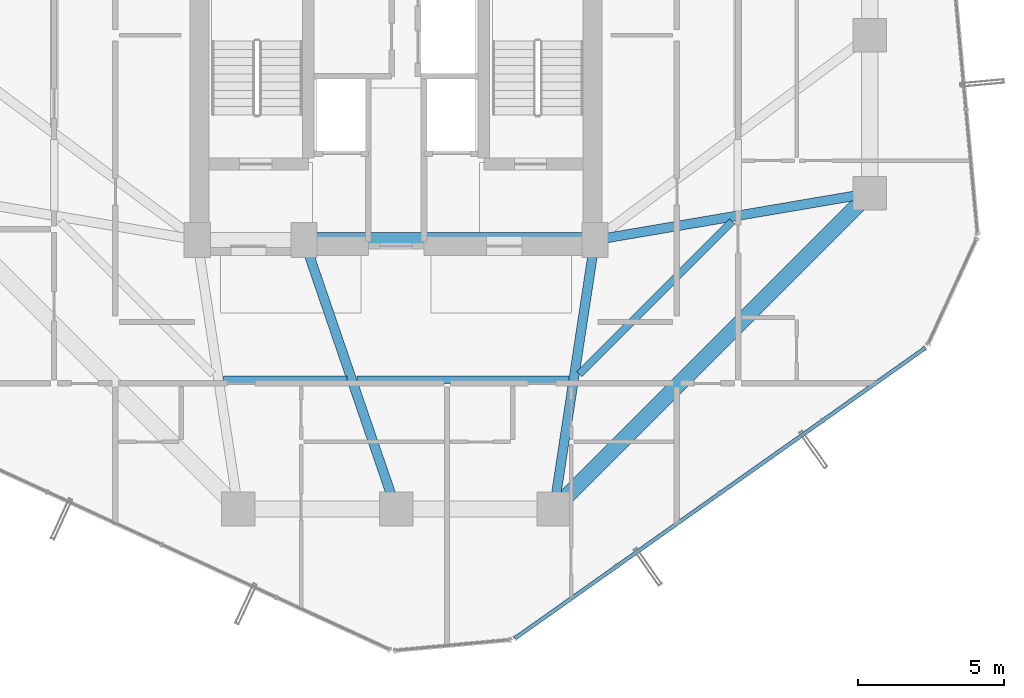
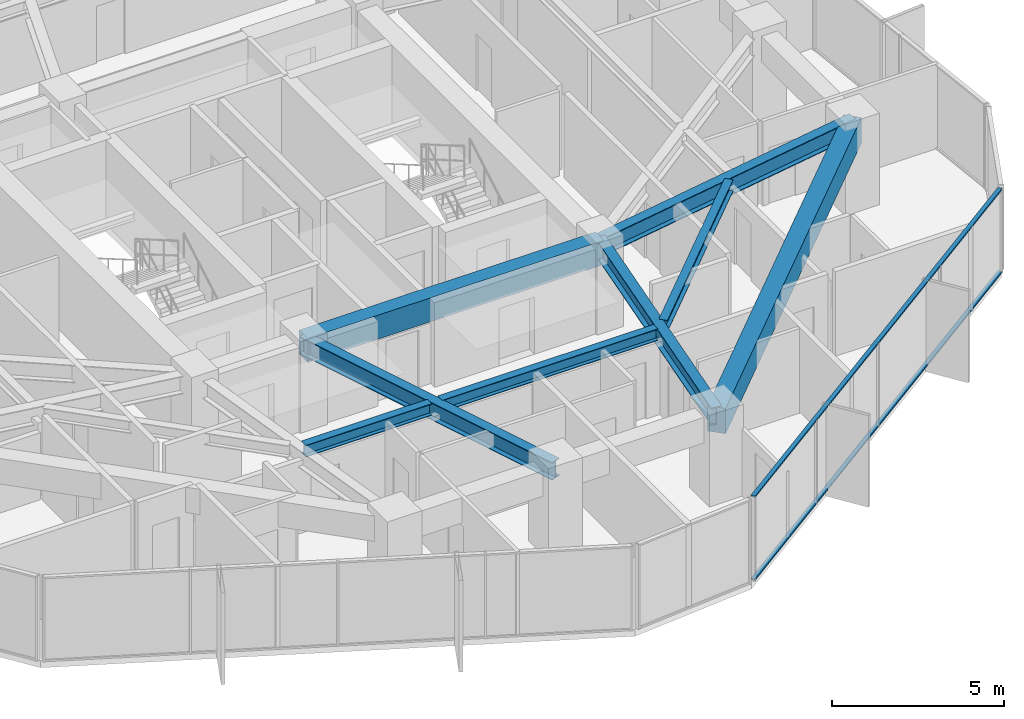
# One storey, part 8 of 33: 8 beams, 2 members, 1 element without a shape of its own.
"""IFC4 building model written with IfcOpenShell, lengths in metres."""

import ifcopenshell
import ifcopenshell.guid

model = None  # the IFC model being written
_history = None  # IfcOwnerHistory: only IFC2X3 demands one
_inside = {}  # id of a spatial element -> (the spatial element, [elements in it])
_under = {}  # id of a project, library or spatial element -> (it, [spatial elements below it])
_declared = {}  # id of a project -> (the project, [libraries it declares])
_typed = {}  # id of a type object -> (the type object, [elements of that type])
_made_of = {}  # id of a material, layer set ... -> (it, [elements and type objects made of it])


def new_model(schema):
    """Start an empty IFC model of exactly this schema.

    Asked for "IFC4X3", IfcOpenShell would pick the latest addendum, in which some entities
    have other attributes; the version numbers below select the first issue.
    IFC2X3 requires an IfcOwnerHistory on every rooted entity: one is made here for all.
    """
    global model, _history
    if schema == "IFC4X3":
        model = ifcopenshell.file(schema_version=(4, 3, 0, 0))
    else:
        model = ifcopenshell.file(schema=schema)
    _inside.clear()
    _under.clear()
    _declared.clear()
    _typed.clear()
    _made_of.clear()
    _history = None
    if model.schema == "IFC2X3":
        org = make("IfcOrganization", Name="unknown")
        user = make(
            "IfcPersonAndOrganization",
            ThePerson=make("IfcPerson", FamilyName="unknown"),
            TheOrganization=org,
        )
        app = make(
            "IfcApplication",
            ApplicationDeveloper=org,
            Version="unknown",
            ApplicationFullName="unknown",
            ApplicationIdentifier="unknown",
        )
        _history = make(
            "IfcOwnerHistory",
            OwningUser=user,
            OwningApplication=app,
            ChangeAction="ADDED",
            CreationDate=0,
        )
    return model


def make(cls, **values):
    """One entity of the class cls with the attributes given. An attribute that is None is left unset."""
    return model.create_entity(
        cls, **{name: value for name, value in values.items() if value is not None}
    )


def rooted(cls, **values):
    """An entity with a GlobalId (a new one), such as an element, a storey or a relation."""
    return make(cls, GlobalId=ifcopenshell.guid.new(), OwnerHistory=_history, **values)


def si_unit(unit_type, name, prefix=None):
    """IfcSIUnit, for example si_unit("LENGTHUNIT", "METRE", prefix="MILLI")."""
    return make("IfcSIUnit", UnitType=unit_type, Prefix=prefix, Name=name)


def assignment(units):
    """IfcUnitAssignment: the units of a project."""
    return None if units is None else make("IfcUnitAssignment", Units=units)


def point(xyz):
    """IfcCartesianPoint."""
    return None if xyz is None else make("IfcCartesianPoint", Coordinates=xyz)


def direction(xyz):
    """IfcDirection."""
    return None if xyz is None else make("IfcDirection", DirectionRatios=xyz)


def frame(location, z_axis=None, x_axis=None):
    """IfcAxis2Placement3D, a coordinate frame: its origin and axes. An axis left out is left unset."""
    return make(
        "IfcAxis2Placement3D",
        Location=point(location),
        Axis=direction(z_axis),
        RefDirection=direction(x_axis),
    )


def frame_2d(location, x_axis=None):
    """IfcAxis2Placement2D, a coordinate frame in the plane: its origin and x axis."""
    return make(
        "IfcAxis2Placement2D", Location=point(location), RefDirection=direction(x_axis)
    )


def origin():
    """The frame at (0, 0, 0) with its axes left unset."""
    return frame((0.0, 0.0, 0.0))


def origin_2d():
    """The frame at (0, 0) in the plane with its x axis left unset."""
    return frame_2d((0.0, 0.0))


def place(relative_to, where):
    """IfcLocalPlacement: puts the frame where relative to a parent placement (None: the world)."""
    return make(
        "IfcLocalPlacement", PlacementRelTo=relative_to, RelativePlacement=where
    )


def context(
    kind, dimensions, precision=None, world=None, true_north=None, identifier=None
):
    """IfcGeometricRepresentationContext, for example the 3D "Model" context."""
    return make(
        "IfcGeometricRepresentationContext",
        ContextIdentifier=identifier,
        ContextType=kind,
        CoordinateSpaceDimension=dimensions,
        Precision=precision,
        WorldCoordinateSystem=world,
        TrueNorth=true_north,
    )


def subcontext(parent, identifier, kind, view, scale=None):
    """IfcGeometricRepresentationSubContext, for example "Body" below "Model"."""
    return make(
        "IfcGeometricRepresentationSubContext",
        ContextIdentifier=identifier,
        ContextType=kind,
        ParentContext=parent,
        TargetScale=scale,
        TargetView=view,
    )


def project(units=None, contexts=None):
    """IfcProject with its units and contexts."""
    return rooted(
        "IfcProject",
        Name="project",
        RepresentationContexts=contexts,
        UnitsInContext=assignment(units),
    )


def spatial(cls, under=None, at=None, **own):
    """A site, building, storey or space (cls), placed at a placement, below another one or the project."""
    s = rooted(cls, ObjectPlacement=at, **own)
    if under is not None:
        _under.setdefault(under.id(), (under, []))[1].append(s)
    return s


def profile(cls, at=None, kind="AREA", **sizes):
    """A parametric profile (cls). Its sizes go by their IFC names, for example OverallWidth=200.0."""
    return make(cls, ProfileType=kind, Position=at, **sizes)


def rectangle(**sizes):
    """IfcRectangleProfileDef."""
    return profile("IfcRectangleProfileDef", **sizes)


def hollow_rectangle(**sizes):
    """IfcRectangleHollowProfileDef."""
    return profile("IfcRectangleHollowProfileDef", **sizes)


def i_section(**sizes):
    """IfcIShapeProfileDef."""
    return profile("IfcIShapeProfileDef", **sizes)


def extrude(swept, where, along, depth):
    """IfcExtrudedAreaSolid: the profile swept, set in the frame where, extruded along a direction by depth."""
    return make(
        "IfcExtrudedAreaSolid",
        SweptArea=swept,
        Position=where,
        ExtrudedDirection=direction(along),
        Depth=depth,
    )


def shape(context_of_items, identifier, shape_type, items):
    """IfcShapeRepresentation: the items that make up one representation, for example the "Body"."""
    return make(
        "IfcShapeRepresentation",
        ContextOfItems=context_of_items,
        RepresentationIdentifier=identifier,
        RepresentationType=shape_type,
        Items=items,
    )


def source(mapping_origin, context_of_items, identifier, shape_type, items):
    """IfcRepresentationMap: a shape defined once, which mapped items show again and again."""
    return make(
        "IfcRepresentationMap",
        MappingOrigin=mapping_origin,
        MappedRepresentation=shape(context_of_items, identifier, shape_type, items),
    )


def transform(
    local_origin,
    x_axis=None,
    y_axis=None,
    z_axis=None,
    scale=None,
    scale2=None,
    scale3=None,
    uniform=True,
):
    """IfcCartesianTransformationOperator3D, or its non-uniform kind. x_axis, y_axis, z_axis: its Axis1, 2, 3."""
    if uniform:
        return make(
            "IfcCartesianTransformationOperator3D",
            Axis1=direction(x_axis),
            Axis2=direction(y_axis),
            LocalOrigin=point(local_origin),
            Scale=scale,
            Axis3=direction(z_axis),
        )
    return make(
        "IfcCartesianTransformationOperator3DnonUniform",
        Axis1=direction(x_axis),
        Axis2=direction(y_axis),
        LocalOrigin=point(local_origin),
        Scale=scale,
        Axis3=direction(z_axis),
        Scale2=scale2,
        Scale3=scale3,
    )


def mapped(mapping_source, mapping_target):
    """IfcMappedItem: shows the shape of a source again, moved by a transform."""
    return make(
        "IfcMappedItem", MappingSource=mapping_source, MappingTarget=mapping_target
    )


def material(Name=None, Category=None):
    """IfcMaterial."""
    return make("IfcMaterial", Name=Name, Category=Category)


def layer(
    of_material, thickness, ventilated=None, Name=None, Category=None, Priority=None
):
    """IfcMaterialLayer: one layer of a wall or slab, of a material (None: an air gap)."""
    return make(
        "IfcMaterialLayer",
        Material=of_material,
        LayerThickness=thickness,
        IsVentilated=ventilated,
        Name=Name,
        Category=Category,
        Priority=Priority,
    )


def layer_set(layers, Name=None):
    """IfcMaterialLayerSet."""
    return make("IfcMaterialLayerSet", MaterialLayers=layers, LayerSetName=Name)


def material_profile(
    of_material, cross_section, Name=None, Category=None, Priority=None
):
    """IfcMaterialProfile: a cross section and its material."""
    return make(
        "IfcMaterialProfile",
        Name=Name,
        Material=of_material,
        Profile=cross_section,
        Priority=Priority,
        Category=Category,
    )


def profile_set(profiles, Name=None, composite=None):
    """IfcMaterialProfileSet."""
    return make(
        "IfcMaterialProfileSet",
        Name=Name,
        MaterialProfiles=profiles,
        CompositeProfile=composite,
    )


def made_of(thing, what):
    """Note that an element or type object is made of a material, layer set ...; save() writes the relation."""
    if what is not None:
        _made_of.setdefault(what.id(), (what, []))[1].append(thing)
    return thing


def type_object(cls, material=None, **own):
    """A type object (cls), such as IfcWallType, which elements share."""
    return made_of(rooted(cls, **own), material)


def element(
    cls,
    number,
    at=None,
    inside=None,
    cuts=None,
    type_object=None,
    material=None,
    context=None,
    identifier="Body",
    shape_type=None,
    held_by="IfcProductDefinitionShape",
    body=None,
    shapes=None,
    **own,
):
    """One element of the class cls, such as IfcWall. Its Tag is "e" and its number.

    at: its placement. inside: the storey or other place that contains it. cuts: it is an
    opening in that element (IfcRelVoidsElement). A single representation is given by context,
    identifier, shape_type and body (its items); several are given by shapes. held_by: the class
    of the entity that holds the representations. save() writes the other relations.
    """
    e = rooted(cls, Tag="e%d" % number, ObjectPlacement=at, **own)
    if body is not None:
        shapes = [shape(context, identifier, shape_type, body)]
    if shapes is not None:
        e.Representation = make(held_by, Representations=shapes)
    if inside is not None:
        _inside.setdefault(inside.id(), (inside, []))[1].append(e)
    if cuts is not None:
        rooted(
            "IfcRelVoidsElement", RelatingBuildingElement=cuts, RelatedOpeningElement=e
        )
    if type_object is not None:
        _typed.setdefault(type_object.id(), (type_object, []))[1].append(e)
    return made_of(e, material)


def aggregate(whole, parts):
    """IfcRelAggregates: a whole, such as a stair, and the parts it consists of."""
    return rooted("IfcRelAggregates", RelatingObject=whole, RelatedObjects=parts)


def save(model, path):
    """Write the relations noted so far, then the file.

    IfcRelAggregates (storeys below a building ...), IfcRelContainedInSpatialStructure (elements
    in a storey), IfcRelDefinesByType, IfcRelAssociatesMaterial and IfcRelDeclares: one each for
    every whole, place, type object, material and project.
    """
    for whole, parts in _under.values():
        aggregate(whole, parts)
    for where, things in _inside.values():
        rooted(
            "IfcRelContainedInSpatialStructure",
            RelatedElements=things,
            RelatingStructure=where,
        )
    for kind, things in _typed.values():
        rooted("IfcRelDefinesByType", RelatedObjects=things, RelatingType=kind)
    for what, things in _made_of.values():
        rooted("IfcRelAssociatesMaterial", RelatedObjects=things, RelatingMaterial=what)
    for by, libraries in _declared.values():
        rooted("IfcRelDeclares", RelatingContext=by, RelatedDefinitions=libraries)
    model.write(path)


model = new_model("IFC4")

# Units and contexts
model_context = context("Model", 3, precision=1e-05, world=origin(), true_north=direction((0.0, 1.0)))
body_context = subcontext(model_context, "Body", "Model", "MODEL_VIEW")
ifc_project = project(units=[si_unit("LENGTHUNIT", "METRE"), si_unit("AREAUNIT", "SQUARE_METRE"), si_unit("VOLUMEUNIT", "CUBIC_METRE"), si_unit("PLANEANGLEUNIT", "RADIAN"), si_unit("MASSUNIT", "GRAM", prefix="KILO")], contexts=[model_context])

# Site, building, storey
site_placement = place(None, origin())
site = spatial("IfcSite", under=ifc_project, at=site_placement, CompositionType="ELEMENT")
building_placement = place(site_placement, origin())
building = spatial("IfcBuilding", under=site, at=building_placement, Name="Veraguas Prism Commons", CompositionType="ELEMENT")
storey_placement = place(building_placement, frame((0.0, 0.0, 145.75)))
storey = spatial("IfcBuildingStorey", under=building, at=storey_placement, Name="L41", CompositionType="ELEMENT", Elevation=145.75)

# Beams
ifc_material_1 = material(Name="Concrete C50/60", Category="concrete")
ifc_material_profile_1 = material_profile(ifc_material_1, rectangle(XDim=0.5, YDim=0.85009765625, at=origin_2d()), Name="RC500X850")
ifc_profile_set_1 = profile_set([ifc_material_profile_1], Name="Concrete C50/60")
beam_type_1 = type_object("IfcBeamType", Name="Core Coupling Beam RC 500x850", PredefinedType="BEAM", material=ifc_profile_set_1)
beam_1_placement = place(storey_placement, frame((20.85009765625, 17.0, 2.574951171875), z_axis=(1.0, 0.0, 0.0), x_axis=(0.0, 1.0, 0.0)))
element("IfcBeam", 1, at=beam_1_placement, inside=storey, type_object=beam_type_1, Name="Core Coupling Beam L41-CRS2", PredefinedType="BEAM", context=body_context, shape_type="SweptSolid", body=[
    extrude(rectangle(XDim=0.5, YDim=0.85009765625, at=origin_2d()), origin(), (0.0, 0.0, 1.0), 9.949951171875),
])
ifc_material_2 = material(Name="Steel ASTM A992 Grade 50", Category="steel")
ifc_material_profile_2 = material_profile(ifc_material_2, i_section(OverallWidth=0.260986328125, OverallDepth=0.419921875, WebThickness=0.01171875, FlangeThickness=0.019287109375, at=origin_2d()), Name="W410X114")
ifc_profile_set_2 = profile_set([ifc_material_profile_2], Name="Steel ASTM A992 Grade 50")
beam_type_2 = type_object("IfcBeamType", Name="Lower Floor Joist W410x114", PredefinedType="JOIST", material=ifc_profile_set_2)
beam_2_placement = place(storey_placement, frame((18.091796875, 12.216064453125, 2.7900390625), z_axis=(1.0, 0.0, 0.0), x_axis=(0.0, 1.0, 0.0)))
element("IfcBeam", 2, at=beam_2_placement, inside=storey, type_object=beam_type_2, Name="Composite Floor Joist L41-JS10", PredefinedType="JOIST", context=body_context, shape_type="SweptSolid", body=[
    extrude(i_section(OverallWidth=0.260986328125, OverallDepth=0.419921875, WebThickness=0.01171875, FlangeThickness=0.019287109375, at=origin_2d()), origin(), (0.0, 0.0, 1.0), 4.22509765625),
])
beam_3_placement = place(storey_placement, frame((22.6591796875, 12.216064453125, 2.7900390625), z_axis=(1.0, 0.0, 0.0), x_axis=(0.0, 1.0, 0.0)))
element("IfcBeam", 3, at=beam_3_placement, inside=storey, type_object=beam_type_2, Name="Composite Floor Joist L41-JS11", PredefinedType="JOIST", context=body_context, shape_type="SweptSolid", body=[
    extrude(i_section(OverallWidth=0.260986328125, OverallDepth=0.419921875, WebThickness=0.01171875, FlangeThickness=0.019287109375, at=origin_2d()), origin(), (0.0, 0.0, 1.0), 7.2490234375),
])
beam_4_placement = place(storey_placement, frame((30.265380859375, 12.4091796875, 2.7900390625), z_axis=(0.707090260193, 0.707123301794, 0.0), x_axis=(-0.707123301794, 0.707090260193, 0.0)))
element("IfcBeam", 4, at=beam_4_placement, inside=storey, type_object=beam_type_2, Name="Composite Floor Joist L41-JS12", PredefinedType="JOIST", context=body_context, shape_type="SweptSolid", body=[
    extrude(i_section(OverallWidth=0.260986328125, OverallDepth=0.419921875, WebThickness=0.01171875, FlangeThickness=0.019287109375, at=origin_2d()), origin(), (0.0, 0.0, 1.0), 7.388916015625),
])
ifc_material_profile_3 = material_profile(ifc_material_1, rectangle(XDim=0.550048828125, YDim=0.89990234375, at=origin_2d()), Name="RC550X900")
ifc_profile_set_3 = profile_set([ifc_material_profile_3], Name="Concrete C50/60")
beam_type_3 = type_object("IfcBeamType", Name="Perimeter Spandrel Lower RC 550x900", PredefinedType="SPANDREL", material=ifc_profile_set_3)
beam_5_placement = place(storey_placement, frame((29.39990234375, 7.800048828125, 2.550048828125), z_axis=(0.707106781187, 0.707106781187, 0.0), x_axis=(-0.707106781187, 0.707106781187, 0.0)))
element("IfcBeam", 5, at=beam_5_placement, inside=storey, type_object=beam_type_3, Name="Perimeter Spandrel Beam L41-SP12", PredefinedType="SPANDREL", context=body_context, shape_type="SweptSolid", body=[
    extrude(rectangle(XDim=0.550048828125, YDim=0.89990234375, at=origin_2d()), origin(), (0.0, 0.0, 1.0), 15.273681640625),
])
ifc_material_profile_4 = material_profile(ifc_material_2, i_section(OverallWidth=0.327880859375, OverallDepth=0.6220703125, WebThickness=0.015380859375, FlangeThickness=0.0244140625, at=origin_2d()), Name="W610X195")
ifc_profile_set_4 = profile_set([ifc_material_profile_4], Name="Steel ASTM A992 Grade 50")
beam_type_4 = type_object("IfcBeamType", Name="Zone 2 Radial Girder W610x195", PredefinedType="BEAM", material=ifc_profile_set_4)
beam_6_placement = place(storey_placement, frame((40.199951171875, 18.60009765625, 2.68896484375), z_axis=(-0.985819187151, -0.1678109956, 0.0), x_axis=(0.1678109956, -0.985819187151, 0.0)))
element("IfcBeam", 6, at=beam_6_placement, inside=storey, type_object=beam_type_4, Name="Radial Floor Girder L41-RD01", PredefinedType="BEAM", context=body_context, shape_type="SweptSolid", body=[
    extrude(i_section(OverallWidth=0.327880859375, OverallDepth=0.6220703125, WebThickness=0.015380859375, FlangeThickness=0.0244140625, at=origin_2d()), origin(), (0.0, 0.0, 1.0), 9.53515625),
])
beam_7_placement = place(storey_placement, frame((24.0, 7.800048828125, 2.68896484375), z_axis=(-0.323922482989, 0.946083624747, 0.0), x_axis=(-0.946083624747, -0.323922482989, 0.0)))
element("IfcBeam", 7, at=beam_7_placement, inside=storey, type_object=beam_type_4, Name="Radial Floor Girder L41-RD11", PredefinedType="BEAM", context=body_context, shape_type="SweptSolid", body=[
    extrude(i_section(OverallWidth=0.327880859375, OverallDepth=0.6220703125, WebThickness=0.015380859375, FlangeThickness=0.0244140625, at=origin_2d()), origin(), (0.0, 0.0, 1.0), 9.724365234375),
])
beam_8_placement = place(storey_placement, frame((29.39990234375, 7.800048828125, 2.68896484375), z_axis=(0.150458162136, 0.98861637729, 0.0), x_axis=(-0.98861637729, 0.150458162136, 0.0)))
element("IfcBeam", 8, at=beam_8_placement, inside=storey, type_object=beam_type_4, Name="Radial Floor Girder L41-RD12", PredefinedType="BEAM", context=body_context, shape_type="SweptSolid", body=[
    extrude(i_section(OverallWidth=0.327880859375, OverallDepth=0.6220703125, WebThickness=0.015380859375, FlangeThickness=0.0244140625, at=origin_2d()), origin(), (0.0, 0.0, 1.0), 9.305908203125),
])

# Curtain wall, members
ifc_material_3 = material(Name="Anodised aluminium EN AW-6063 T6", Category="aluminium")
ifc_layer = layer(ifc_material_3, 0.169921875, Name="Unitised Flush Curtain Wall Zone 2", Category="aluminium")
ifc_layer_set = layer_set([ifc_layer], Name="Anodised aluminium EN AW-6063 T6")
curtain_wall_type = type_object("IfcCurtainWallType", Name="Unitised Flush Curtain Wall Zone 2", PredefinedType="NOTDEFINED", material=ifc_layer_set)
curtain_wall_placement = place(storey_placement, origin())
curtain_wall = element("IfcCurtainWall", 9, at=curtain_wall_placement, inside=storey, type_object=curtain_wall_type, Name="Tower Facade Curtain Wall L41-F5", PredefinedType="NOTDEFINED")
ifc_material_profile_5 = material_profile(ifc_material_3, hollow_rectangle(XDim=0.054931640625, YDim=0.135009765625, WallThickness=0.0029296875, at=origin_2d()), Name="AL55X135X3")
ifc_profile_set_5 = profile_set([ifc_material_profile_5], Name="Anodised aluminium EN AW-6063 T6")
member_type = type_object("IfcMemberType", Name="Curtain Wall Transom Standard AL 55x135x3", PredefinedType="USERDEFINED", material=ifc_profile_set_5)
shared_shape = source(origin(), body_context, "Body", "SweptSolid", [
    extrude(hollow_rectangle(XDim=0.054931640625, YDim=0.135009765625, WallThickness=0.0029296875, at=origin_2d()), origin(), (0.0, 0.0, 1.0), 17.174560546875),
])
member_1_placement = place(storey_placement, frame((28.069091796875, 3.380859375, 0.027587890625), z_axis=(0.816342566733, 0.577568016549, 0.0), x_axis=(0.0, 0.0, 1.0)))
member_1 = element("IfcMember", 10, at=member_1_placement, type_object=member_type, Name="CW-Z2 Transom 1", ObjectType="TRANSOM", PredefinedType="USERDEFINED", context=body_context, shape_type="MappedRepresentation", body=[
    mapped(shared_shape, transform((0.0, 0.0, 0.0), scale=1.0)),
])
member_2_placement = place(storey_placement, frame((28.069091796875, 3.380859375, 2.972412109375), z_axis=(0.816342566733, 0.577568016549, 0.0), x_axis=(0.0, 0.0, 1.0)))
member_2 = element("IfcMember", 11, at=member_2_placement, type_object=member_type, Name="CW-Z2 Transom 2", ObjectType="TRANSOM", PredefinedType="USERDEFINED", context=body_context, shape_type="MappedRepresentation", body=[
    mapped(shared_shape, transform((0.0, 0.0, 0.0), scale=1.0)),
])
aggregate(curtain_wall, [member_1, member_2])

save(model, "model.ifc")
